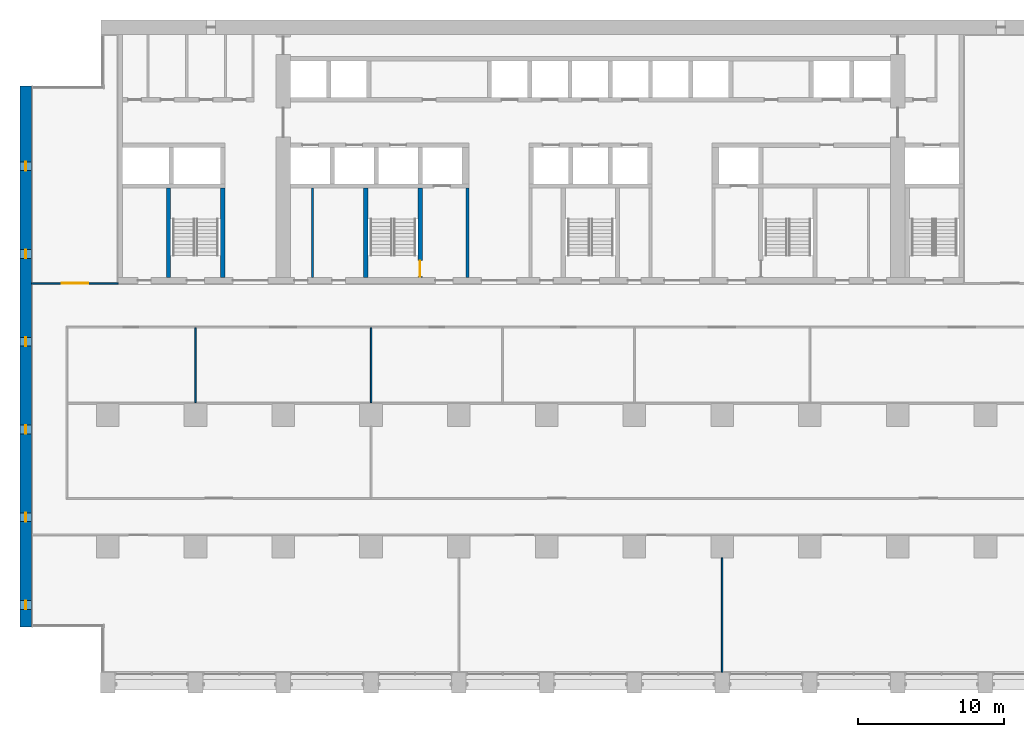
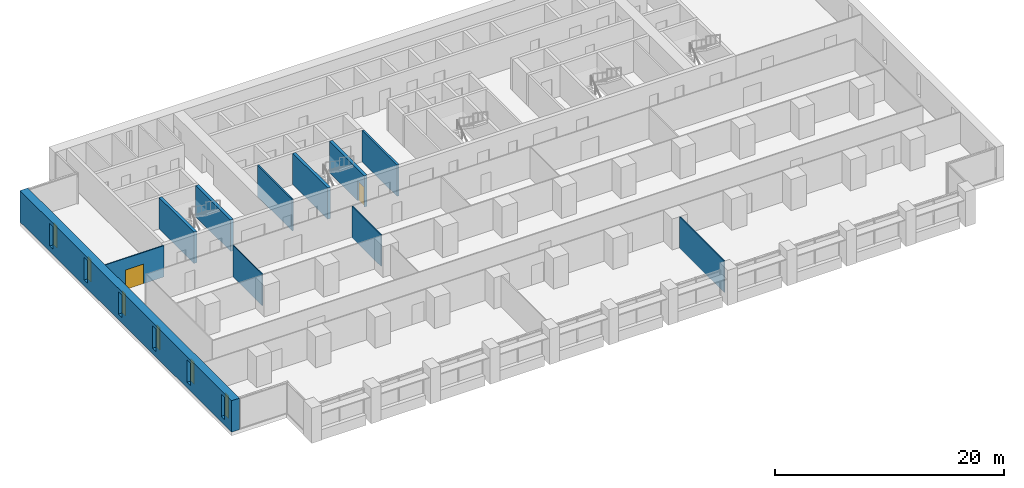
# One storey, part 8 of 17: 11 walls, 6 windows, 2 doors, 8 openings.
"""IFC4 building model written with IfcOpenShell, lengths in metres."""

from ifc_helpers import new_model, si_unit, direction, frame, frame_2d, origin, place, context, subcontext, project, spatial, rectangle, extrude, material, layer, layer_set, type_object, element, fill, save


model = new_model("IFC4")

# Units and contexts
model_context = context("Model", 3, precision=1e-05, world=origin(), true_north=direction((0.0, 1.0)))
body_context = subcontext(model_context, "Body", "Model", "MODEL_VIEW")
ifc_project = project(units=[si_unit("LENGTHUNIT", "METRE"), si_unit("AREAUNIT", "SQUARE_METRE"), si_unit("VOLUMEUNIT", "CUBIC_METRE"), si_unit("PLANEANGLEUNIT", "RADIAN"), si_unit("MASSUNIT", "GRAM", prefix="KILO")], contexts=[model_context])

# Site, building, storey
site_placement = place(None, origin())
site = spatial("IfcSite", under=ifc_project, at=site_placement, CompositionType="ELEMENT")
building_placement = place(site_placement, origin())
building = spatial("IfcBuilding", under=site, at=building_placement, Name="Calvaro Tower", CompositionType="ELEMENT")
storey_placement = place(building_placement, frame((0.0, 0.0, 75.0)))
storey = spatial("IfcBuildingStorey", under=building, at=storey_placement, Name="L18", CompositionType="ELEMENT", Elevation=75.0)

# Walls
ifc_material_1 = material(Name="Blockwork partition", Category="masonry")
ifc_layer_1 = layer(ifc_material_1, 0.14990234375)
ifc_layer_set_1 = layer_set([ifc_layer_1], Name="Blockwork partition")
wall_type_1 = type_object("IfcWallType", Name="Core partition 150 REI 120", PredefinedType="PARTITIONING", material=ifc_layer_set_1)
wall_1_placement = place(storey_placement, frame((20.0, 28.39990234375, 0.0), z_axis=(0.0, 0.0, 1.0), x_axis=(0.0, 1.0, 0.0)))
element("IfcWall", 1, at=wall_1_placement, inside=storey, type_object=wall_type_1, Name="Core partition", PredefinedType="PARTITIONING", context=body_context, shape_type="SweptSolid", body=[
    extrude(rectangle(XDim=6.10009765625, YDim=0.14990234375, at=frame_2d((3.050048828125, 0.0))), origin(), (0.0, 0.0, 1.0), 3.35009765625),
])
ifc_material_2 = material(Name="Blockwork partition", Category="masonry")
ifc_layer_2 = layer(ifc_material_2, 0.199951171875)
ifc_layer_set_2 = layer_set([ifc_layer_2], Name="Blockwork partition")
wall_type_2 = type_object("IfcWallType", Name="Core partition 200 REI 120", PredefinedType="PARTITIONING", material=ifc_layer_set_2)
wall_2_placement = place(storey_placement, frame((30.60009765625, 28.39990234375, 0.0), z_axis=(0.0, 0.0, 1.0), x_axis=(0.0, 1.0, 0.0)))
element("IfcWall", 2, at=wall_2_placement, inside=storey, type_object=wall_type_2, Name="Core partition", PredefinedType="PARTITIONING", context=body_context, shape_type="SweptSolid", body=[
    extrude(rectangle(XDim=6.10009765625, YDim=0.199951171875, at=frame_2d((3.050048828125, 0.0))), origin(), (0.0, 0.0, 1.0), 3.35009765625),
])
ifc_material_3 = material(Name="Concrete C80/95", Category="concrete")
ifc_layer_3 = layer(ifc_material_3, 0.300048828125)
ifc_layer_set_3 = layer_set([ifc_layer_3], Name="Concrete C80/95")
wall_type_3 = type_object("IfcWallType", Name="Core wall C80/95 300", PredefinedType="SHEAR", material=ifc_layer_set_3)
for number, where, z_axis, x_axis, name in (
    (3, (10.14990234375, 28.39990234375, 0.0), (0.0, 0.0, 1.0), (0.0, 1.0, 0.0), "Core wall, stair enclosure"),
    (4, (13.85009765625, 28.39990234375, 0.0), (0.0, 0.0, 1.0), (0.0, 1.0, 0.0), "Core wall, stair enclosure"),
    (5, (23.64990234375, 28.39990234375, 0.0), (0.0, 0.0, 1.0), (0.0, 1.0, 0.0), "Core wall, stair enclosure"),
):
    element("IfcWall", number, at=place(storey_placement, frame(where, z_axis=z_axis, x_axis=x_axis)), inside=storey, type_object=wall_type_3, Name=name, PredefinedType="SHEAR", context=body_context, shape_type="SweptSolid", body=[
        extrude(rectangle(XDim=6.10009765625, YDim=0.300048828125, at=frame_2d((3.050048828125, 0.0))), origin(), (0.0, 0.0, 1.0), 3.35009765625),
    ])

# Wall, opening, door
wall_3_placement = place(storey_placement, frame((27.35009765625, 28.39990234375, 0.0), z_axis=(0.0, 0.0, 1.0), x_axis=(0.0, 1.0, 0.0)))
wall_3 = element("IfcWall", 6, at=wall_3_placement, inside=storey, type_object=wall_type_3, Name="Core wall, stair enclosure", PredefinedType="SHEAR", context=body_context, shape_type="SweptSolid", body=[
    extrude(rectangle(XDim=6.10009765625, YDim=0.300048828125, at=frame_2d((3.050048828125, 0.0))), origin(), (0.0, 0.0, 1.0), 3.35009765625),
])
opening_1_placement = place(wall_3_placement, frame((0.050048828125, 0.0, 0.0)))
opening_1 = element("IfcOpeningElement", 7, at=opening_1_placement, cuts=wall_3, Name="Opening FD11D", PredefinedType="OPENING", context=body_context, shape_type="SweptSolid", body=[
    extrude(rectangle(XDim=1.10009765625, YDim=2.10009765625, at=frame_2d((0.550048828125, 1.050048828125))), frame((0.0, 0.159912109375, 0.0), z_axis=(0.0, -1.0, 0.0), x_axis=(1.0, 0.0, 0.0)), (0.0, 0.0, 1.0), 0.320068359375),
])
ifc_material_4 = material(Name="Steel door set", Category="steel")
door_type_1 = type_object("IfcDoorType", Name="Fire door 1100 FD30S", OperationType="SINGLE_SWING_LEFT", PredefinedType="DOOR", material=ifc_material_4)
door_1_placement = place(opening_1_placement, origin())
door_1 = element("IfcDoor", 8, at=door_1_placement, inside=storey, type_object=door_type_1, Name="Fire door", OperationType="SINGLE_SWING_LEFT", OverallHeight=2.10009765625, OverallWidth=1.10009765625, PredefinedType="DOOR", context=body_context, shape_type="SweptSolid", body=[
    extrude(rectangle(XDim=1.10009765625, YDim=2.10009765625, at=frame_2d((0.550048828125, 1.050048828125))), frame((0.0, 0.02490234375, 0.0), z_axis=(0.0, -1.0, 0.0), x_axis=(1.0, 0.0, 0.0)), (0.0, 0.0, 1.0), 0.050048828125),
])
fill(opening_1, door_1)

# Wall, openings, windows
ifc_material_5 = material(Name="Concrete C80/95", Category="concrete")
ifc_layer_4 = layer(ifc_material_5, 0.800048828125)
ifc_layer_set_4 = layer_set([ifc_layer_4], Name="Concrete C80/95")
wall_type_4 = type_object("IfcWallType", Name="End wall 800 C80/95", PredefinedType="SHEAR", material=ifc_layer_set_4)
wall_4_placement = place(storey_placement, frame((0.39990234375, 4.5, 0.0), z_axis=(0.0, 0.0, 1.0), x_axis=(0.0, 1.0, 0.0)))
wall_4 = element("IfcWall", 9, at=wall_4_placement, inside=storey, type_object=wall_type_4, Name="End shear wall", PredefinedType="SHEAR", context=body_context, shape_type="SweptSolid", body=[
    extrude(rectangle(XDim=37.0, YDim=0.800048828125, at=frame_2d((18.5, 0.0))), origin(), (0.0, 0.0, 1.0), 3.35009765625),
])
opening_2_placement = place(wall_4_placement, frame((1.199951171875, 0.0, 0.60009765625)))
opening_2 = element("IfcOpeningElement", 10, at=opening_2_placement, cuts=wall_4, Name="Opening WW01", PredefinedType="OPENING", context=body_context, shape_type="SweptSolid", body=[
    extrude(rectangle(XDim=0.60009765625, YDim=2.39990234375, at=frame_2d((0.300048828125, 1.199951171875))), frame((0.0, 0.409912109375, 0.0), z_axis=(0.0, -1.0, 0.0), x_axis=(1.0, 0.0, 0.0)), (0.0, 0.0, 1.0), 0.820068359375),
])
opening_3_placement = place(wall_4_placement, frame((7.199951171875, 0.0, 0.60009765625)))
opening_3 = element("IfcOpeningElement", 11, at=opening_3_placement, cuts=wall_4, Name="Opening WW02", PredefinedType="OPENING", context=body_context, shape_type="SweptSolid", body=[
    extrude(rectangle(XDim=0.60009765625, YDim=2.39990234375, at=frame_2d((0.300048828125, 1.199951171875))), frame((0.0, 0.409912109375, 0.0), z_axis=(0.0, -1.0, 0.0), x_axis=(1.0, 0.0, 0.0)), (0.0, 0.0, 1.0), 0.820068359375),
])
opening_4_placement = place(wall_4_placement, frame((13.199951171875, 0.0, 0.60009765625)))
opening_4 = element("IfcOpeningElement", 12, at=opening_4_placement, cuts=wall_4, Name="Opening WW03", PredefinedType="OPENING", context=body_context, shape_type="SweptSolid", body=[
    extrude(rectangle(XDim=0.60009765625, YDim=2.39990234375, at=frame_2d((0.300048828125, 1.199951171875))), frame((0.0, 0.409912109375, 0.0), z_axis=(0.0, -1.0, 0.0), x_axis=(1.0, 0.0, 0.0)), (0.0, 0.0, 1.0), 0.820068359375),
])
opening_5_placement = place(wall_4_placement, frame((19.199951171875, 0.0, 0.60009765625)))
opening_5 = element("IfcOpeningElement", 13, at=opening_5_placement, cuts=wall_4, Name="Opening WW04", PredefinedType="OPENING", context=body_context, shape_type="SweptSolid", body=[
    extrude(rectangle(XDim=0.60009765625, YDim=2.39990234375, at=frame_2d((0.300048828125, 1.199951171875))), frame((0.0, 0.409912109375, 0.0), z_axis=(0.0, -1.0, 0.0), x_axis=(1.0, 0.0, 0.0)), (0.0, 0.0, 1.0), 0.820068359375),
])
opening_6_placement = place(wall_4_placement, frame((25.199951171875, 0.0, 0.60009765625)))
opening_6 = element("IfcOpeningElement", 14, at=opening_6_placement, cuts=wall_4, Name="Opening WW05", PredefinedType="OPENING", context=body_context, shape_type="SweptSolid", body=[
    extrude(rectangle(XDim=0.60009765625, YDim=2.39990234375, at=frame_2d((0.300048828125, 1.199951171875))), frame((0.0, 0.409912109375, 0.0), z_axis=(0.0, -1.0, 0.0), x_axis=(1.0, 0.0, 0.0)), (0.0, 0.0, 1.0), 0.820068359375),
])
opening_7_placement = place(wall_4_placement, frame((31.199951171875, 0.0, 0.60009765625)))
opening_7 = element("IfcOpeningElement", 15, at=opening_7_placement, cuts=wall_4, Name="Opening WW06", PredefinedType="OPENING", context=body_context, shape_type="SweptSolid", body=[
    extrude(rectangle(XDim=0.60009765625, YDim=2.39990234375, at=frame_2d((0.300048828125, 1.199951171875))), frame((0.0, 0.409912109375, 0.0), z_axis=(0.0, -1.0, 0.0), x_axis=(1.0, 0.0, 0.0)), (0.0, 0.0, 1.0), 0.820068359375),
])
ifc_material_6 = material(Name="Glass", Category="glass")
window_type = type_object("IfcWindowType", Name="Slit window 600 x 2400", PartitioningType="SINGLE_PANEL", PredefinedType="WINDOW", material=ifc_material_6)
window_1_placement = place(opening_2_placement, origin())
window_1 = element("IfcWindow", 16, at=window_1_placement, inside=storey, type_object=window_type, Name="Window WW01", OverallHeight=2.39990234375, OverallWidth=0.60009765625, PartitioningType="SINGLE_PANEL", PredefinedType="WINDOW", context=body_context, shape_type="SweptSolid", body=[
    extrude(rectangle(XDim=0.60009765625, YDim=2.39990234375, at=frame_2d((0.300048828125, 1.199951171875))), frame((0.0, 0.030029296875, 0.0), z_axis=(0.0, -1.0, 0.0), x_axis=(1.0, 0.0, 0.0)), (0.0, 0.0, 1.0), 0.06005859375),
])
fill(opening_2, window_1)
window_2_placement = place(opening_3_placement, origin())
window_2 = element("IfcWindow", 17, at=window_2_placement, inside=storey, type_object=window_type, Name="Window WW02", OverallHeight=2.39990234375, OverallWidth=0.60009765625, PartitioningType="SINGLE_PANEL", PredefinedType="WINDOW", context=body_context, shape_type="SweptSolid", body=[
    extrude(rectangle(XDim=0.60009765625, YDim=2.39990234375, at=frame_2d((0.300048828125, 1.199951171875))), frame((0.0, 0.030029296875, 0.0), z_axis=(0.0, -1.0, 0.0), x_axis=(1.0, 0.0, 0.0)), (0.0, 0.0, 1.0), 0.06005859375),
])
fill(opening_3, window_2)
window_3_placement = place(opening_4_placement, origin())
window_3 = element("IfcWindow", 18, at=window_3_placement, inside=storey, type_object=window_type, Name="Window WW03", OverallHeight=2.39990234375, OverallWidth=0.60009765625, PartitioningType="SINGLE_PANEL", PredefinedType="WINDOW", context=body_context, shape_type="SweptSolid", body=[
    extrude(rectangle(XDim=0.60009765625, YDim=2.39990234375, at=frame_2d((0.300048828125, 1.199951171875))), frame((0.0, 0.030029296875, 0.0), z_axis=(0.0, -1.0, 0.0), x_axis=(1.0, 0.0, 0.0)), (0.0, 0.0, 1.0), 0.06005859375),
])
fill(opening_4, window_3)
window_4_placement = place(opening_5_placement, origin())
window_4 = element("IfcWindow", 19, at=window_4_placement, inside=storey, type_object=window_type, Name="Window WW04", OverallHeight=2.39990234375, OverallWidth=0.60009765625, PartitioningType="SINGLE_PANEL", PredefinedType="WINDOW", context=body_context, shape_type="SweptSolid", body=[
    extrude(rectangle(XDim=0.60009765625, YDim=2.39990234375, at=frame_2d((0.300048828125, 1.199951171875))), frame((0.0, 0.030029296875, 0.0), z_axis=(0.0, -1.0, 0.0), x_axis=(1.0, 0.0, 0.0)), (0.0, 0.0, 1.0), 0.06005859375),
])
fill(opening_5, window_4)
window_5_placement = place(opening_6_placement, origin())
window_5 = element("IfcWindow", 20, at=window_5_placement, inside=storey, type_object=window_type, Name="Window WW05", OverallHeight=2.39990234375, OverallWidth=0.60009765625, PartitioningType="SINGLE_PANEL", PredefinedType="WINDOW", context=body_context, shape_type="SweptSolid", body=[
    extrude(rectangle(XDim=0.60009765625, YDim=2.39990234375, at=frame_2d((0.300048828125, 1.199951171875))), frame((0.0, 0.030029296875, 0.0), z_axis=(0.0, -1.0, 0.0), x_axis=(1.0, 0.0, 0.0)), (0.0, 0.0, 1.0), 0.06005859375),
])
fill(opening_6, window_5)
window_6_placement = place(opening_7_placement, origin())
window_6 = element("IfcWindow", 21, at=window_6_placement, inside=storey, type_object=window_type, Name="Window WW06", OverallHeight=2.39990234375, OverallWidth=0.60009765625, PartitioningType="SINGLE_PANEL", PredefinedType="WINDOW", context=body_context, shape_type="SweptSolid", body=[
    extrude(rectangle(XDim=0.60009765625, YDim=2.39990234375, at=frame_2d((0.300048828125, 1.199951171875))), frame((0.0, 0.030029296875, 0.0), z_axis=(0.0, -1.0, 0.0), x_axis=(1.0, 0.0, 0.0)), (0.0, 0.0, 1.0), 0.06005859375),
])
fill(opening_7, window_6)

# Wall, opening, door
ifc_material_7 = material(Name="Plasterboard on steel studs", Category="steel")
ifc_layer_5 = layer(ifc_material_7, 0.10009765625)
ifc_layer_set_5 = layer_set([ifc_layer_5], Name="Plasterboard on steel studs")
wall_type_5 = type_object("IfcWallType", Name="Partition 100", PredefinedType="PARTITIONING", material=ifc_layer_set_5)
wall_5_placement = place(storey_placement, frame((0.800048828125, 28.0, 0.0), z_axis=(0.0, 0.0, 1.0), x_axis=(1.0, 0.0, 0.0)))
wall_5 = element("IfcWall", 22, at=wall_5_placement, inside=storey, type_object=wall_type_5, Name="Partition T13.W005", PredefinedType="PARTITIONING", context=body_context, shape_type="SweptSolid", body=[
    extrude(rectangle(XDim=5.89990234375, YDim=0.10009765625, at=frame_2d((2.949951171875, 0.0))), origin(), (0.0, 0.0, 1.0), 3.35009765625),
])
opening_8_placement = place(wall_5_placement, frame((2.050048828125, 0.0, 0.0)))
opening_8 = element("IfcOpeningElement", 23, at=opening_8_placement, cuts=wall_5, Name="Opening T13.016", PredefinedType="OPENING", context=body_context, shape_type="SweptSolid", body=[
    extrude(rectangle(XDim=1.800048828125, YDim=2.10009765625, at=frame_2d((0.89990234375, 1.050048828125))), frame((0.0, 0.06005859375, 0.0), z_axis=(0.0, -1.0, 0.0), x_axis=(1.0, 0.0, 0.0)), (0.0, 0.0, 1.0), 0.1201171875),
])
ifc_material_8 = material(Name="Timber", Category="wood")
door_type_2 = type_object("IfcDoorType", Name="Internal double door 1800 x 2100", OperationType="DOUBLE_DOOR_SINGLE_SWING", PredefinedType="DOOR", material=ifc_material_8)
door_2_placement = place(opening_8_placement, origin())
door_2 = element("IfcDoor", 24, at=door_2_placement, inside=storey, type_object=door_type_2, Name="Door T13.016", OperationType="DOUBLE_DOOR_SINGLE_SWING", OverallHeight=2.10009765625, OverallWidth=1.800048828125, PredefinedType="DOOR", context=body_context, shape_type="SweptSolid", body=[
    extrude(rectangle(XDim=1.800048828125, YDim=2.10009765625, at=frame_2d((0.89990234375, 1.050048828125))), frame((0.0, 0.02490234375, 0.0), z_axis=(0.0, -1.0, 0.0), x_axis=(1.0, 0.0, 0.0)), (0.0, 0.0, 1.0), 0.050048828125),
])
fill(opening_8, door_2)

# Walls
for number, where, z_axis, x_axis, name in (
    (25, (12.0, 19.85009765625, 0.0), (0.0, 0.0, 1.0), (0.0, 1.0, 0.0), "Partition T13.W008"),
    (26, (24.0, 19.85009765625, 0.0), (0.0, 0.0, 1.0), (0.0, 1.0, 0.0), "Partition T13.W010"),
):
    element("IfcWall", number, at=place(storey_placement, frame(where, z_axis=z_axis, x_axis=x_axis)), inside=storey, type_object=wall_type_5, Name=name, PredefinedType="PARTITIONING", context=body_context, shape_type="SweptSolid", body=[
        extrude(rectangle(XDim=5.099853515625, YDim=0.10009765625, at=frame_2d((2.5498046875, 0.0))), origin(), (0.0, 0.0, 1.0), 3.35009765625),
    ])
wall_6_placement = place(storey_placement, frame((48.0, 1.39990234375, 0.0), z_axis=(0.0, 0.0, 1.0), x_axis=(0.0, 1.0, 0.0)))
element("IfcWall", 27, at=wall_6_placement, inside=storey, type_object=wall_type_5, Name="Partition T13.W014", PredefinedType="PARTITIONING", context=body_context, shape_type="SweptSolid", body=[
    extrude(rectangle(XDim=7.8251953125, YDim=0.10009765625, at=frame_2d((3.91259765625, 0.0))), origin(), (0.0, 0.0, 1.0), 3.35009765625),
])

save(model, "model.ifc")
